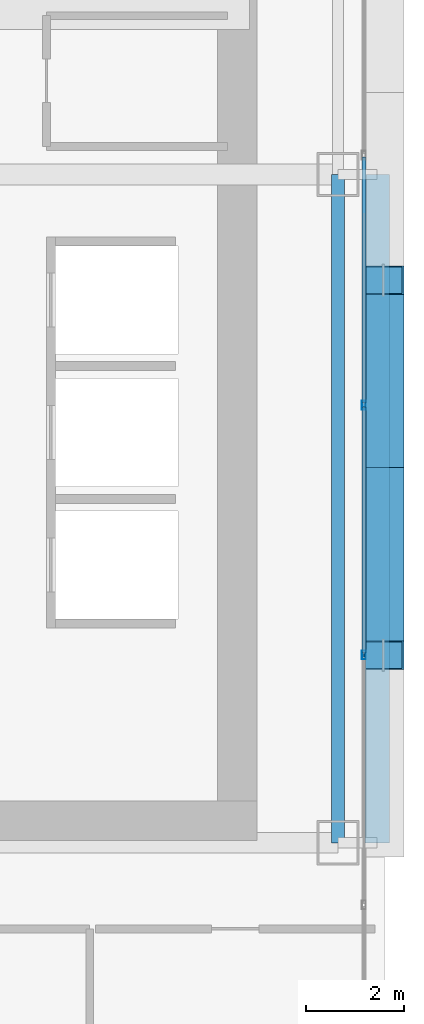
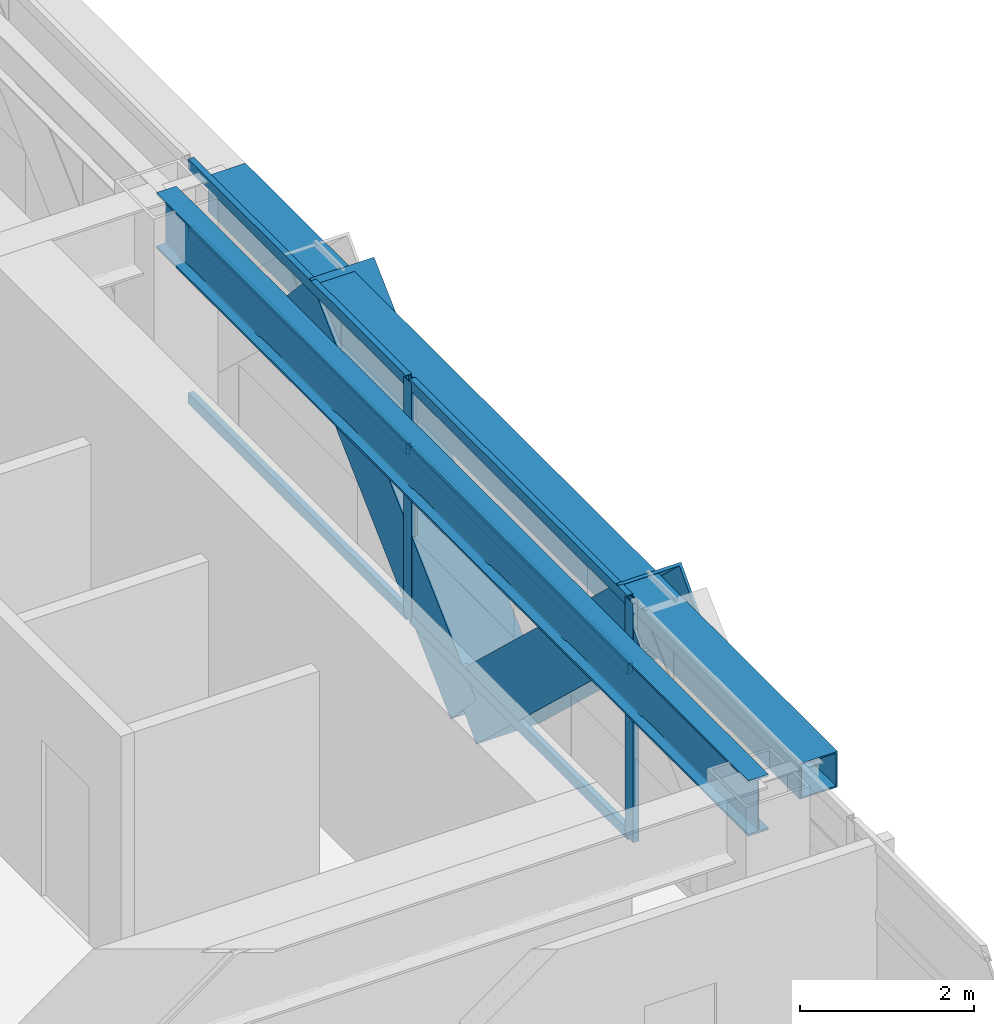
# One storey, part 13 of 35: 10 members, 2 beams, 1 element without a shape of its own.
"""IFC4 building model written with IfcOpenShell, lengths in metres."""

from ifc_helpers import new_model, si_unit, direction, frame, origin, origin_2d, place, context, subcontext, project, spatial, hollow_rectangle, i_section, extrude, source, transform, mapped, material, layer, layer_set, material_profile, profile_set, type_object, element, aggregate, save


model = new_model("IFC4")

# Units and contexts
model_context = context("Model", 3, precision=1e-05, world=origin(), true_north=direction((0.0, 1.0)))
body_context = subcontext(model_context, "Body", "Model", "MODEL_VIEW")
ifc_project = project(units=[si_unit("LENGTHUNIT", "METRE"), si_unit("AREAUNIT", "SQUARE_METRE"), si_unit("VOLUMEUNIT", "CUBIC_METRE"), si_unit("PLANEANGLEUNIT", "RADIAN"), si_unit("MASSUNIT", "GRAM", prefix="KILO")], contexts=[model_context])

# Site, building, storey
site_placement = place(None, origin())
site = spatial("IfcSite", under=ifc_project, at=site_placement, CompositionType="ELEMENT")
building_placement = place(site_placement, origin())
building = spatial("IfcBuilding", under=site, at=building_placement, Name="Ocotamira Hotel", CompositionType="ELEMENT")
storey_placement = place(building_placement, frame((0.0, 0.0, 70.800048828125)))
storey = spatial("IfcBuildingStorey", under=building, at=storey_placement, Name="L17", CompositionType="ELEMENT", Elevation=70.800048828125)

# Beams
ifc_material_1 = material(Name="Steel ASTM A992 Grade 50", Category="steel")
ifc_material_profile_1 = material_profile(ifc_material_1, i_section(OverallWidth=0.26611328125, OverallDepth=0.779052734375, WebThickness=0.0166015625, FlangeThickness=0.030029296875, FilletRadius=0.01806640625, at=origin_2d()), Name="W30X148")
ifc_profile_set_1 = profile_set([ifc_material_profile_1], Name="Steel ASTM A992 Grade 50")
beam_type_1 = type_object("IfcBeamType", Name="BM-GIRD-W30X148", PredefinedType="BEAM", material=ifc_profile_set_1)
shared_shape_1 = source(origin(), body_context, "Body", "SweptSolid", [
    extrude(i_section(OverallWidth=0.26611328125, OverallDepth=0.779052734375, WebThickness=0.0166015625, FlangeThickness=0.030029296875, FilletRadius=0.01806640625, at=origin_2d()), origin(), (0.0, 0.0, 1.0), 13.599853515625),
])
beam_1_placement = place(storey_placement, frame((55.050048828125, 14.550048828125, 2.96044921875), z_axis=(0.0, 1.0, 0.0), x_axis=(-1.0, 0.0, 0.0)))
element("IfcBeam", 1, at=beam_1_placement, inside=storey, type_object=beam_type_1, Name="L17 Beam X55.05 Y14.55-28.15", PredefinedType="BEAM", context=body_context, shape_type="MappedRepresentation", body=[
    mapped(shared_shape_1, transform((0.0, 0.0, 0.0), scale=1.0)),
])
ifc_material_2 = material(Name="Steel ASTM A500 Grade C", Category="steel")
ifc_material_profile_2 = material_profile(ifc_material_2, hollow_rectangle(XDim=0.5, YDim=0.5, WallThickness=0.02001953125, at=origin_2d()), Name="HSS500X500X20")
ifc_profile_set_2 = profile_set([ifc_material_profile_2], Name="Steel ASTM A500 Grade C")
beam_type_2 = type_object("IfcBeamType", Name="BM-SPAN-HSS500", PredefinedType="USERDEFINED", material=ifc_profile_set_2)
shared_shape_2 = source(origin(), body_context, "Body", "SweptSolid", [
    extrude(hollow_rectangle(XDim=0.5, YDim=0.5, WallThickness=0.02001953125, at=origin_2d()), origin(), (0.0, 0.0, 1.0), 13.599853515625),
])
beam_2_placement = place(storey_placement, frame((55.85009765625, 14.550048828125, 3.099853515625), z_axis=(0.0, 1.0, 0.0), x_axis=(-1.0, 0.0, 0.0)))
element("IfcBeam", 2, at=beam_2_placement, inside=storey, type_object=beam_type_2, Name="L17 Edge Spandrel E Y14.55-28.15", ObjectType="SPANDREL", PredefinedType="USERDEFINED", context=body_context, shape_type="MappedRepresentation", body=[
    mapped(shared_shape_2, transform((0.0, 0.0, 0.0), scale=1.0)),
])

# Members
ifc_material_3 = material(Name="Pale-metal coated steel ASTM A913 Grade 65", Category="steel")
ifc_material_profile_3 = material_profile(ifc_material_3, hollow_rectangle(XDim=0.85009765625, YDim=0.85009765625, WallThickness=0.035888671875, at=origin_2d()), Name="BOX850X850X36")
ifc_profile_set_3 = profile_set([ifc_material_profile_3], Name="Pale-metal coated steel ASTM A913 Grade 65")
member_type_1 = type_object("IfcMemberType", Name="MEM-EXO-BOX850", PredefinedType="BRACE", material=ifc_profile_set_3)
shared_shape_3 = source(origin(), body_context, "Body", "SweptSolid", [
    extrude(hollow_rectangle(XDim=0.85009765625, YDim=0.85009765625, WallThickness=0.035888671875, at=origin_2d()), origin(), (0.0, 0.0, 1.0), 5.24658203125),
])
for number, where, z_axis, x_axis, name in (
    (3, (55.969970703125, 22.183349609375, -0.5), (0.0, -0.72746596067, 0.686143772154), (1.0, 0.0, 0.0), "L17 Exoskeleton Diagrid E0.2"),
    (4, (55.969970703125, 22.183349609375, -0.5), (0.0, 0.72746596067, 0.686143772154), (-1.0, 0.0, 0.0), "L17 Exoskeleton Diagrid E1.1"),
):
    element("IfcMember", number, at=place(storey_placement, frame(where, z_axis=z_axis, x_axis=x_axis)), inside=storey, type_object=member_type_1, Name=name, PredefinedType="BRACE", context=body_context, shape_type="MappedRepresentation", body=[
        mapped(shared_shape_3, transform((0.0, 0.0, 0.0), scale=1.0)),
    ])

# Curtain wall, members
ifc_material_4 = material(Name="Anodised pale-metal aluminium and solar glass", Category="aluminium")
ifc_layer = layer(ifc_material_4, 0.179931640625)
ifc_layer_set = layer_set([ifc_layer], Name="Anodised pale-metal aluminium and solar glass")
curtain_wall_type = type_object("IfcCurtainWallType", Name="CW-SYS2-Z1", PredefinedType="NOTDEFINED", material=ifc_layer_set)
curtain_wall_placement = place(storey_placement, origin())
curtain_wall = element("IfcCurtainWall", 5, at=curtain_wall_placement, inside=storey, type_object=curtain_wall_type, Name="L17 Curtain Wall CW-2 CW-L17-E", PredefinedType="NOTDEFINED")
ifc_material_5 = material(Name="Anodised pale-metal aluminium 6063-T6", Category="aluminium")
ifc_material_profile_4 = material_profile(ifc_material_5, hollow_rectangle(XDim=0.080078125, YDim=0.179931640625, WallThickness=0.006103515625, at=origin_2d()), Name="HSS180X80X6")
ifc_profile_set_4 = profile_set([ifc_material_profile_4], Name="Anodised pale-metal aluminium 6063-T6")
member_type_2 = type_object("IfcMemberType", Name="CWM-180X75", PredefinedType="MULLION", material=ifc_profile_set_4)
shared_shape_4 = source(origin(), body_context, "Body", "SweptSolid", [
    extrude(hollow_rectangle(XDim=0.080078125, YDim=0.179931640625, WallThickness=0.006103515625, at=origin_2d()), origin(), (0.0, 0.0, 1.0), 3.349853515625),
])
member_1_placement = place(storey_placement, frame((55.580078125, 18.371337890625, 0.0), z_axis=(0.0, 0.0, 1.0), x_axis=(-1.0, 0.0, 0.0)))
member_1 = element("IfcMember", 6, at=member_1_placement, type_object=member_type_2, Name="CW-2 mullion 3", PredefinedType="MULLION", context=body_context, shape_type="MappedRepresentation", body=[
    mapped(shared_shape_4, transform((0.0, 0.0, 0.0), scale=1.0)),
])
member_2_placement = place(storey_placement, frame((55.580078125, 23.45703125, 0.0), z_axis=(0.0, 0.0, 1.0), x_axis=(-1.0, 0.0, 0.0)))
member_2 = element("IfcMember", 7, at=member_2_placement, type_object=member_type_2, Name="CW-2 mullion 4", PredefinedType="MULLION", context=body_context, shape_type="MappedRepresentation", body=[
    mapped(shared_shape_4, transform((0.0, 0.0, 0.0), scale=1.0)),
])
ifc_material_profile_5 = material_profile(ifc_material_5, hollow_rectangle(XDim=0.074951171875, YDim=0.14990234375, WallThickness=0.006103515625, at=origin_2d()), Name="HSS150X75X6")
ifc_profile_set_5 = profile_set([ifc_material_profile_5], Name="Anodised pale-metal aluminium 6063-T6")
member_type_3 = type_object("IfcMemberType", Name="CWT-150X75", PredefinedType="USERDEFINED", material=ifc_profile_set_5)
shared_shape_5 = source(origin(), body_context, "Body", "SweptSolid", [
    extrude(hollow_rectangle(XDim=0.074951171875, YDim=0.14990234375, WallThickness=0.006103515625, at=origin_2d()), origin(), (0.0, 0.0, 1.0), 5.005859375),
])
member_3_placement = place(storey_placement, frame((55.580078125, 18.411376953125, 0.037353515625), z_axis=(0.0, 1.0, 0.0), x_axis=(-1.0, 0.0, 0.0)))
member_3 = element("IfcMember", 8, at=member_3_placement, type_object=member_type_3, Name="CW-2 transom 3.1", ObjectType="TRANSOM", PredefinedType="USERDEFINED", context=body_context, shape_type="MappedRepresentation", body=[
    mapped(shared_shape_5, transform((0.0, 0.0, 0.0), scale=1.0)),
])
member_4_placement = place(storey_placement, frame((55.580078125, 18.411376953125, 2.349853515625), z_axis=(0.0, 1.0, 0.0), x_axis=(-1.0, 0.0, 0.0)))
member_4 = element("IfcMember", 9, at=member_4_placement, type_object=member_type_3, Name="CW-2 transom 3.2", ObjectType="TRANSOM", PredefinedType="USERDEFINED", context=body_context, shape_type="MappedRepresentation", body=[
    mapped(shared_shape_5, transform((0.0, 0.0, 0.0), scale=1.0)),
])
member_5_placement = place(storey_placement, frame((55.580078125, 18.411376953125, 3.3125), z_axis=(0.0, 1.0, 0.0), x_axis=(-1.0, 0.0, 0.0)))
member_5 = element("IfcMember", 10, at=member_5_placement, type_object=member_type_3, Name="CW-2 transom 3.3", ObjectType="TRANSOM", PredefinedType="USERDEFINED", context=body_context, shape_type="MappedRepresentation", body=[
    mapped(shared_shape_5, transform((0.0, 0.0, 0.0), scale=1.0)),
])
member_6_placement = place(storey_placement, frame((55.580078125, 23.4970703125, 0.037353515625), z_axis=(0.0, 1.0, 0.0), x_axis=(-1.0, 0.0, 0.0)))
member_6 = element("IfcMember", 11, at=member_6_placement, type_object=member_type_3, Name="CW-2 transom 4.1", ObjectType="TRANSOM", PredefinedType="USERDEFINED", context=body_context, shape_type="MappedRepresentation", body=[
    mapped(shared_shape_5, transform((0.0, 0.0, 0.0), scale=1.0)),
])
member_7_placement = place(storey_placement, frame((55.580078125, 23.4970703125, 2.349853515625), z_axis=(0.0, 1.0, 0.0), x_axis=(-1.0, 0.0, 0.0)))
member_7 = element("IfcMember", 12, at=member_7_placement, type_object=member_type_3, Name="CW-2 transom 4.2", ObjectType="TRANSOM", PredefinedType="USERDEFINED", context=body_context, shape_type="MappedRepresentation", body=[
    mapped(shared_shape_5, transform((0.0, 0.0, 0.0), scale=1.0)),
])
member_8_placement = place(storey_placement, frame((55.580078125, 23.4970703125, 3.3125), z_axis=(0.0, 1.0, 0.0), x_axis=(-1.0, 0.0, 0.0)))
member_8 = element("IfcMember", 13, at=member_8_placement, type_object=member_type_3, Name="CW-2 transom 4.3", ObjectType="TRANSOM", PredefinedType="USERDEFINED", context=body_context, shape_type="MappedRepresentation", body=[
    mapped(shared_shape_5, transform((0.0, 0.0, 0.0), scale=1.0)),
])
aggregate(curtain_wall, [member_1, member_2, member_3, member_4, member_5, member_6, member_7, member_8])

save(model, "model.ifc")
